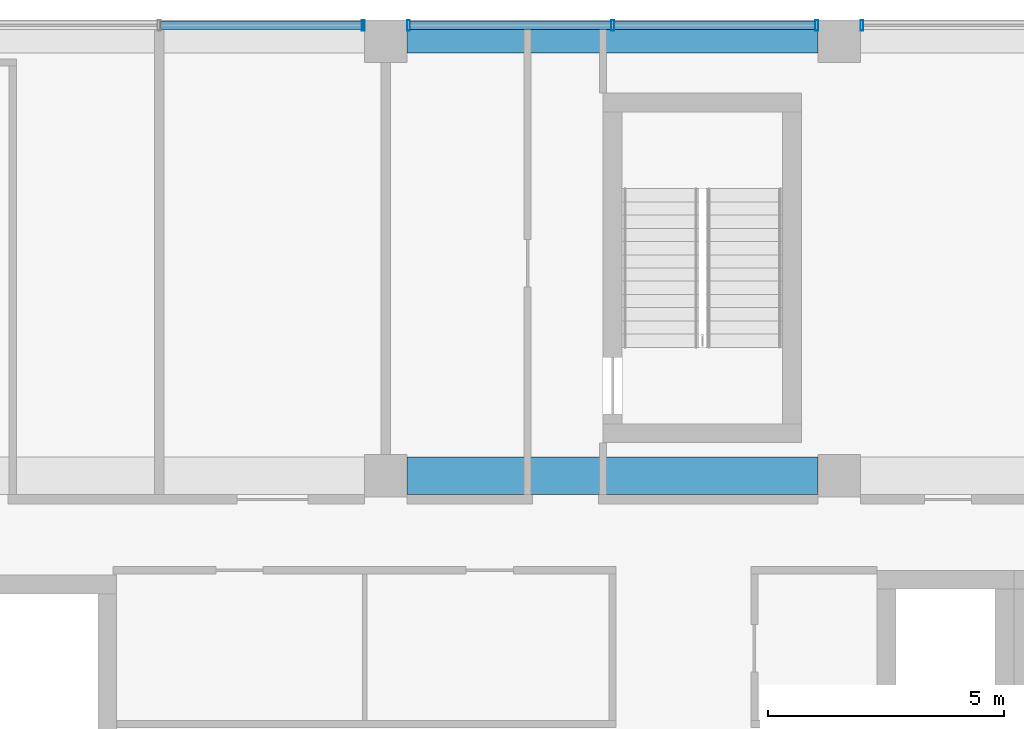
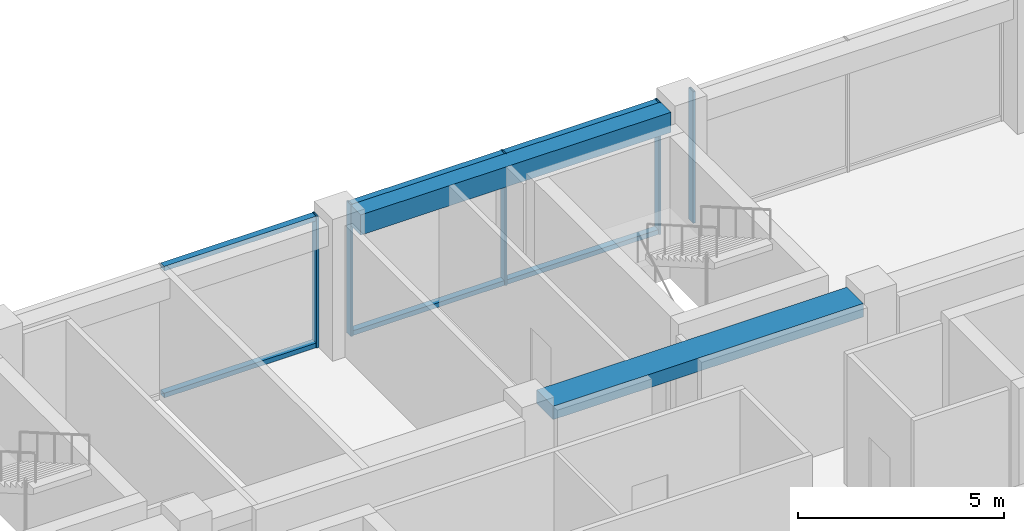
# One storey, part 22 of 38: 11 members, 2 beams, 3 elements without a shape of their own.
"""IFC4 building model written with IfcOpenShell, lengths in metres."""

from ifc_helpers import new_model, si_unit, direction, frame, origin, origin_2d, place, context, subcontext, project, spatial, rectangle, hollow_rectangle, extrude, material, layer, layer_set, material_profile, profile_set, type_object, element, aggregate, save


model = new_model("IFC4")

# Units and contexts
model_context = context("Model", 3, precision=1e-05, world=origin(), true_north=direction((0.0, 1.0)))
body_context = subcontext(model_context, "Body", "Model", "MODEL_VIEW")
ifc_project = project(units=[si_unit("LENGTHUNIT", "METRE"), si_unit("AREAUNIT", "SQUARE_METRE"), si_unit("VOLUMEUNIT", "CUBIC_METRE"), si_unit("PLANEANGLEUNIT", "RADIAN"), si_unit("MASSUNIT", "GRAM", prefix="KILO")], contexts=[model_context])

# Site, building, storey
site_placement = place(None, origin())
site = spatial("IfcSite", under=ifc_project, at=site_placement, CompositionType="ELEMENT")
building_placement = place(site_placement, origin())
building = spatial("IfcBuilding", under=site, at=building_placement, Name="Nzadi Deep Aquarium and Research Tower", CompositionType="ELEMENT")
storey_placement = place(building_placement, frame((0.0, 0.0, 52.89990234375)))
storey = spatial("IfcBuildingStorey", under=building, at=storey_placement, Name="L10", CompositionType="ELEMENT", Elevation=52.89990234375)

# Curtain wall, member
ifc_material_1 = material(Name="Aluminium unitised frame deep", Category="aluminium")
ifc_layer = layer(ifc_material_1, 0.22509765625)
ifc_layer_set = layer_set([ifc_layer], Name="Aluminium unitised frame deep")
curtain_wall_type = type_object("IfcCurtainWallType", Name="Curtain wall Unitised Deep 225", PredefinedType="NOTDEFINED", material=ifc_layer_set)
curtain_wall_1_placement = place(storey_placement, origin())
curtain_wall_1 = element("IfcCurtainWall", 1, at=curtain_wall_1_placement, inside=storey, type_object=curtain_wall_type, Name="Unitised curtain wall blade B north L10", PredefinedType="NOTDEFINED")
ifc_material_2 = material(Name="Aluminium unitised frame deep", Category="aluminium")
ifc_material_profile_1 = material_profile(ifc_material_2, hollow_rectangle(XDim=0.22509765625, YDim=0.06005859375, WallThickness=0.0048828125, at=origin_2d()))
ifc_profile_set_1 = profile_set([ifc_material_profile_1], Name="Aluminium unitised frame deep")
member_type_1 = type_object("IfcMemberType", Name="Mullion 60x225 Unitised Deep", PredefinedType="MULLION", material=ifc_profile_set_1)
member_1_placement = place(storey_placement, frame((18.719970703125, 46.33740234375, 0.0), z_axis=(0.0, 0.0, 1.0), x_axis=(0.0, 1.0, 0.0)))
member_1 = element("IfcMember", 2, at=member_1_placement, type_object=member_type_1, Name="CW135 mullion 3", PredefinedType="MULLION", context=body_context, shape_type="SweptSolid", body=[
    extrude(hollow_rectangle(XDim=0.22509765625, YDim=0.06005859375, WallThickness=0.0048828125, at=origin_2d()), origin(), (0.0, 0.0, 1.0), 3.900146484375),
])

# Curtain wall, members
curtain_wall_2_placement = place(storey_placement, origin())
curtain_wall_2 = element("IfcCurtainWall", 3, at=curtain_wall_2_placement, inside=storey, type_object=curtain_wall_type, Name="Unitised curtain wall blade B north L10", PredefinedType="NOTDEFINED")
member_2_placement = place(storey_placement, frame((19.679931640625, 46.33740234375, 0.0), z_axis=(0.0, 0.0, 1.0), x_axis=(0.0, 1.0, 0.0)))
member_2 = element("IfcMember", 4, at=member_2_placement, type_object=member_type_1, Name="CW136 mullion 1", PredefinedType="MULLION", context=body_context, shape_type="SweptSolid", body=[
    extrude(hollow_rectangle(XDim=0.22509765625, YDim=0.06005859375, WallThickness=0.0048828125, at=origin_2d()), origin(), (0.0, 0.0, 1.0), 3.900146484375),
])
member_3_placement = place(storey_placement, frame((24.0, 46.33740234375, 0.0), z_axis=(0.0, 0.0, 1.0), x_axis=(0.0, 1.0, 0.0)))
member_3 = element("IfcMember", 5, at=member_3_placement, type_object=member_type_1, Name="CW136 mullion 2", PredefinedType="MULLION", context=body_context, shape_type="SweptSolid", body=[
    extrude(hollow_rectangle(XDim=0.22509765625, YDim=0.06005859375, WallThickness=0.0048828125, at=origin_2d()), origin(), (0.0, 0.0, 1.0), 3.900146484375),
])
member_4_placement = place(storey_placement, frame((28.320068359375, 46.33740234375, 0.0), z_axis=(0.0, 0.0, 1.0), x_axis=(0.0, 1.0, 0.0)))
member_4 = element("IfcMember", 6, at=member_4_placement, type_object=member_type_1, Name="CW136 mullion 3", PredefinedType="MULLION", context=body_context, shape_type="SweptSolid", body=[
    extrude(hollow_rectangle(XDim=0.22509765625, YDim=0.06005859375, WallThickness=0.0048828125, at=origin_2d()), origin(), (0.0, 0.0, 1.0), 3.900146484375),
])

# Curtain wall, member
curtain_wall_3_placement = place(storey_placement, origin())
curtain_wall_3 = element("IfcCurtainWall", 7, at=curtain_wall_3_placement, inside=storey, type_object=curtain_wall_type, Name="Unitised curtain wall blade B north L10", PredefinedType="NOTDEFINED")
member_5_placement = place(storey_placement, frame((29.280029296875, 46.33740234375, 0.0), z_axis=(0.0, 0.0, 1.0), x_axis=(0.0, 1.0, 0.0)))
member_5 = element("IfcMember", 8, at=member_5_placement, type_object=member_type_1, Name="CW137 mullion 1", PredefinedType="MULLION", context=body_context, shape_type="SweptSolid", body=[
    extrude(hollow_rectangle(XDim=0.22509765625, YDim=0.06005859375, WallThickness=0.0048828125, at=origin_2d()), origin(), (0.0, 0.0, 1.0), 3.900146484375),
])
aggregate(curtain_wall_3, [member_5])

# Beams
ifc_material_3 = material(Name="Concrete C35/45", Category="concrete")
ifc_material_profile_2 = material_profile(ifc_material_3, rectangle(XDim=0.5, YDim=0.60009765625, at=origin_2d()))
ifc_profile_set_2 = profile_set([ifc_material_profile_2], Name="Concrete C35/45")
beam_type_1 = type_object("IfcBeamType", Name="RC 500x600", PredefinedType="BEAM", material=ifc_profile_set_2)
beam_1_placement = place(storey_placement, frame((19.64990234375, 46.0, 3.60009765625), z_axis=(1.0, 0.0, 0.0), x_axis=(0.0, 1.0, 0.0)))
element("IfcBeam", 9, at=beam_1_placement, inside=storey, type_object=beam_type_1, Name="B-Z1-L10-L6-3", PredefinedType="BEAM", context=body_context, shape_type="SweptSolid", body=[
    extrude(rectangle(XDim=0.5, YDim=0.60009765625, at=origin_2d()), origin(), (0.0, 0.0, 1.0), 8.7001953125),
])
ifc_material_4 = material(Name="Concrete C35/45", Category="concrete")
ifc_material_profile_3 = material_profile(ifc_material_4, rectangle(XDim=0.800048828125, YDim=0.39990234375, at=origin_2d()))
ifc_profile_set_3 = profile_set([ifc_material_profile_3], Name="Concrete C35/45")
beam_type_2 = type_object("IfcBeamType", Name="RC 800x400", PredefinedType="BEAM", material=ifc_profile_set_3)
beam_2_placement = place(storey_placement, frame((19.64990234375, 36.800048828125, 3.7001953125), z_axis=(1.0, 0.0, 0.0), x_axis=(0.0, 1.0, 0.0)))
element("IfcBeam", 10, at=beam_2_placement, inside=storey, type_object=beam_type_2, Name="B-Z1-L10-L5-3", PredefinedType="BEAM", context=body_context, shape_type="SweptSolid", body=[
    extrude(rectangle(XDim=0.800048828125, YDim=0.39990234375, at=origin_2d()), origin(), (0.0, 0.0, 1.0), 8.7001953125),
])

# Member
ifc_material_5 = material(Name="Aluminium unitised frame deep", Category="aluminium")
ifc_material_profile_4 = material_profile(ifc_material_5, hollow_rectangle(XDim=0.179931640625, YDim=0.139892578125, WallThickness=0.0048828125, at=origin_2d()))
ifc_profile_set_4 = profile_set([ifc_material_profile_4], Name="Aluminium unitised frame deep")
member_type_2 = type_object("IfcMemberType", Name="Transom 140x180 Unitised Deep", PredefinedType="MULLION", material=ifc_profile_set_4)
member_6_placement = place(storey_placement, frame((14.429931640625, 46.33740234375, 0.070068359375), z_axis=(1.0, 0.0, 0.0), x_axis=(0.0, 1.0, 0.0)))
member_6 = element("IfcMember", 11, at=member_6_placement, type_object=member_type_2, Name="CW135 transom 2.1", PredefinedType="MULLION", context=body_context, shape_type="SweptSolid", body=[
    extrude(hollow_rectangle(XDim=0.179931640625, YDim=0.139892578125, WallThickness=0.0048828125, at=origin_2d()), origin(), (0.0, 0.0, 1.0), 4.260009765625),
])

member_7_placement = place(storey_placement, frame((14.429931640625, 46.33740234375, 3.830078125), z_axis=(1.0, 0.0, 0.0), x_axis=(0.0, 1.0, 0.0)))
member_7 = element("IfcMember", 12, at=member_7_placement, type_object=member_type_2, Name="CW135 transom 2.2", PredefinedType="MULLION", context=body_context, shape_type="SweptSolid", body=[
    extrude(hollow_rectangle(XDim=0.179931640625, YDim=0.139892578125, WallThickness=0.0048828125, at=origin_2d()), origin(), (0.0, 0.0, 1.0), 4.260009765625),
])

aggregate(curtain_wall_1, [member_1, member_6, member_7])

member_8_placement = place(storey_placement, frame((19.7099609375, 46.33740234375, 0.070068359375), z_axis=(1.0, 0.0, 0.0), x_axis=(0.0, 1.0, 0.0)))
member_8 = element("IfcMember", 13, at=member_8_placement, type_object=member_type_2, Name="CW136 transom 1.1", PredefinedType="MULLION", context=body_context, shape_type="SweptSolid", body=[
    extrude(hollow_rectangle(XDim=0.179931640625, YDim=0.139892578125, WallThickness=0.0048828125, at=origin_2d()), origin(), (0.0, 0.0, 1.0), 4.260009765625),
])

member_9_placement = place(storey_placement, frame((19.7099609375, 46.33740234375, 3.830078125), z_axis=(1.0, 0.0, 0.0), x_axis=(0.0, 1.0, 0.0)))
member_9 = element("IfcMember", 14, at=member_9_placement, type_object=member_type_2, Name="CW136 transom 1.2", PredefinedType="MULLION", context=body_context, shape_type="SweptSolid", body=[
    extrude(hollow_rectangle(XDim=0.179931640625, YDim=0.139892578125, WallThickness=0.0048828125, at=origin_2d()), origin(), (0.0, 0.0, 1.0), 4.260009765625),
])

member_10_placement = place(storey_placement, frame((24.030029296875, 46.33740234375, 0.070068359375), z_axis=(1.0, 0.0, 0.0), x_axis=(0.0, 1.0, 0.0)))
member_10 = element("IfcMember", 15, at=member_10_placement, type_object=member_type_2, Name="CW136 transom 2.1", PredefinedType="MULLION", context=body_context, shape_type="SweptSolid", body=[
    extrude(hollow_rectangle(XDim=0.179931640625, YDim=0.139892578125, WallThickness=0.0048828125, at=origin_2d()), origin(), (0.0, 0.0, 1.0), 4.260009765625),
])

member_11_placement = place(storey_placement, frame((24.030029296875, 46.33740234375, 3.830078125), z_axis=(1.0, 0.0, 0.0), x_axis=(0.0, 1.0, 0.0)))
member_11 = element("IfcMember", 16, at=member_11_placement, type_object=member_type_2, Name="CW136 transom 2.2", PredefinedType="MULLION", context=body_context, shape_type="SweptSolid", body=[
    extrude(hollow_rectangle(XDim=0.179931640625, YDim=0.139892578125, WallThickness=0.0048828125, at=origin_2d()), origin(), (0.0, 0.0, 1.0), 4.260009765625),
])

aggregate(curtain_wall_2, [member_2, member_3, member_4, member_8, member_9, member_10, member_11])

save(model, "model.ifc")
